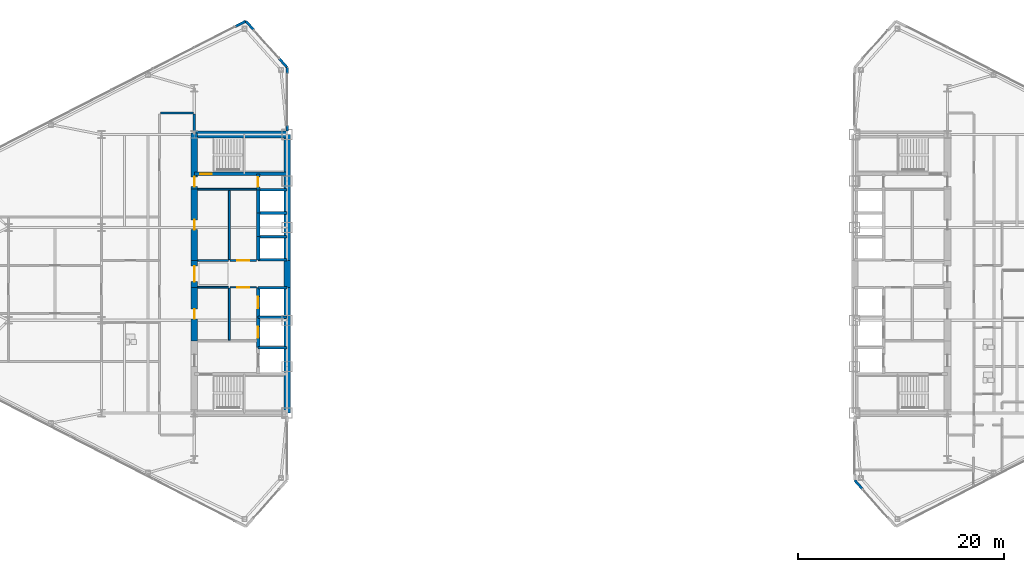
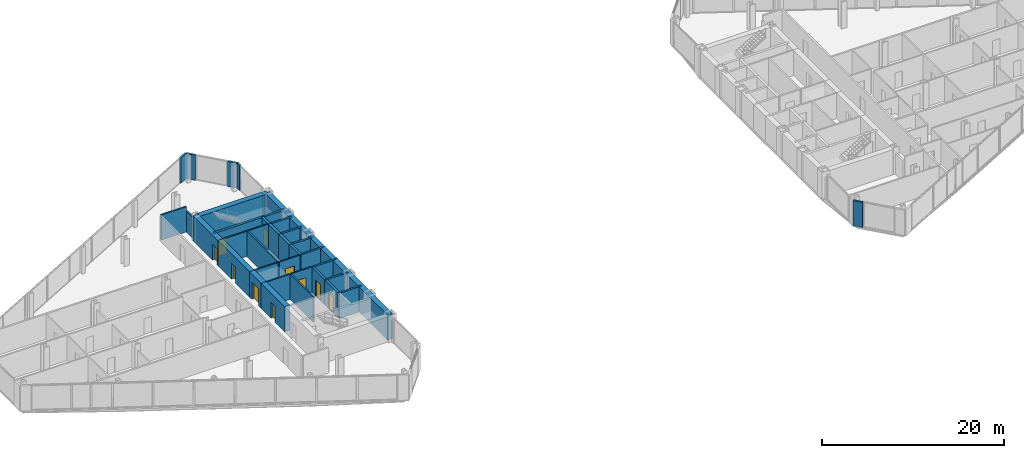
# One storey, part 17 of 23: 37 walls, 10 doors, 10 openings.
"""IFC4 building model written with IfcOpenShell, lengths in metres."""

from ifc_helpers import new_model, si_unit, direction, frame, frame_2d, origin, place, context, subcontext, project, spatial, rectangle, extrude, source, transform, mapped, material, layer, layer_set, type_object, type_shapes, element, fill, save


model = new_model("IFC4")

# Units and contexts
model_context = context("Model", 3, precision=1e-05, world=origin(), true_north=direction((0.0, 1.0)))
body_context = subcontext(model_context, "Body", "Model", "MODEL_VIEW")
ifc_project = project(units=[si_unit("LENGTHUNIT", "METRE"), si_unit("AREAUNIT", "SQUARE_METRE"), si_unit("VOLUMEUNIT", "CUBIC_METRE"), si_unit("PLANEANGLEUNIT", "RADIAN"), si_unit("MASSUNIT", "GRAM", prefix="KILO")], contexts=[model_context])

# Site, building, storey
site_placement = place(None, origin())
site = spatial("IfcSite", under=ifc_project, at=site_placement, CompositionType="ELEMENT")
building_placement = place(site_placement, origin())
building = spatial("IfcBuilding", under=site, at=building_placement, Name="Seokmaru Belvedere", CompositionType="ELEMENT")
storey_placement = place(building_placement, frame((0.0, 0.0, 128.39990234375)))
storey = spatial("IfcBuildingStorey", under=building, at=storey_placement, Name="L34", CompositionType="ELEMENT", Elevation=128.39990234375)

# Walls
ifc_material_1 = material(Name="Fire-Rated Gypsum Shaftwall")
ifc_layer_1 = layer(ifc_material_1, 0.179931640625)
ifc_layer_set_1 = layer_set([ifc_layer_1], Name="Fire-Rated Gypsum Shaftwall")
wall_type_1 = type_object("IfcWallType", Name="Core Service Fire Partition 180", PredefinedType="PARTITIONING", material=ifc_layer_set_1)
wall_1_placement = place(storey_placement, frame((-36.14990234375, 8.199951171875, 0.0), z_axis=(0.0, 0.0, 1.0), x_axis=(1.0, 0.0, 0.0)))
element("IfcWall", 1, at=wall_1_placement, inside=storey, type_object=wall_type_1, Name="L34 West Smokeproof Vestibule Partition", PredefinedType="PARTITIONING", context=body_context, shape_type="SweptSolid", body=[
    extrude(rectangle(XDim=5.699951171875, YDim=0.179931640625, at=frame_2d((2.85009765625, 0.0))), origin(), (0.0, 0.0, 1.0), 3.380126953125),
])
wall_2_placement = place(storey_placement, frame((-33.10009765625, -6.419921875, 0.0), z_axis=(0.0, 0.0, 1.0), x_axis=(0.0, 1.0, 0.0)))
element("IfcWall", 2, at=wall_2_placement, inside=storey, type_object=wall_type_1, Name="L34 West South Core Service Back Wall", PredefinedType="PARTITIONING", context=body_context, shape_type="SweptSolid", body=[
    extrude(rectangle(XDim=5.0400390625, YDim=0.179931640625, at=frame_2d((2.52001953125, 0.0))), origin(), (0.0, 0.0, 1.0), 3.380126953125),
])
wall_3_placement = place(storey_placement, frame((-33.10009765625, 1.3798828125, 0.0), z_axis=(0.0, 0.0, 1.0), x_axis=(0.0, 1.0, 0.0)))
element("IfcWall", 3, at=wall_3_placement, inside=storey, type_object=wall_type_1, Name="L34 West North Core Service Back Wall", PredefinedType="PARTITIONING", context=body_context, shape_type="SweptSolid", body=[
    extrude(rectangle(XDim=6.740234375, YDim=0.179931640625, at=frame_2d((3.3701171875, 0.0))), origin(), (0.0, 0.0, 1.0), 3.380126953125),
])

# Wall, opening, door
wall_4_placement = place(storey_placement, frame((-33.02001953125, -1.300048828125, 0.0), z_axis=(0.0, 0.0, 1.0), x_axis=(1.0, 0.0, 0.0)))
wall_4 = element("IfcWall", 4, at=wall_4_placement, inside=storey, type_object=wall_type_1, Name="L34 West South Lift Lobby Foyer Wall", PredefinedType="PARTITIONING", context=body_context, shape_type="SweptSolid", body=[
    extrude(rectangle(XDim=2.570068359375, YDim=0.179931640625, at=frame_2d((1.28515625, 0.0))), origin(), (0.0, 0.0, 1.0), 3.380126953125),
])
opening_1_placement = place(wall_4_placement, frame((0.7099609375, 0.0, 0.0)))
opening_1 = element("IfcOpeningElement", 5, at=opening_1_placement, cuts=wall_4, Name="Opening D02", PredefinedType="OPENING", context=body_context, shape_type="SweptSolid", body=[
    extrude(rectangle(XDim=1.14990234375, YDim=2.199951171875, at=frame_2d((0.574951171875, 1.10009765625))), frame((0.0, 0.10009765625, 0.0), z_axis=(0.0, -1.0, 0.0), x_axis=(1.0, 0.0, 0.0)), (0.0, 0.0, 1.0), 0.199951171875),
])
ifc_material_2 = material(Name="Fire-Rated Steel Leaf", Category="steel")
door_type_1 = type_object("IfcDoorType", Name="Lobby and Vestibule Fire Door 1150x2200", OperationType="NOTDEFINED", PredefinedType="DOOR", material=ifc_material_2)
shared_shape_1 = source(origin(), body_context, "Body", "SweptSolid", [
    extrude(rectangle(XDim=1.14990234375, YDim=2.199951171875, at=frame_2d((0.574951171875, 1.10009765625))), frame((0.0, 0.02490234375, 0.0), z_axis=(0.0, -1.0, 0.0), x_axis=(1.0, 0.0, 0.0)), (0.0, 0.0, 1.0), 0.050048828125),
])
type_shapes(door_type_1, [shared_shape_1])
door_1_placement = place(opening_1_placement, origin())
door_1 = element("IfcDoor", 6, at=door_1_placement, inside=storey, type_object=door_type_1, Name="L34 West South Core Foyer Door", OperationType="SINGLE_SWING_LEFT", OverallHeight=2.199951171875, OverallWidth=1.14990234375, PredefinedType="DOOR", context=body_context, shape_type="MappedRepresentation", body=[
    mapped(shared_shape_1, transform((0.0, 0.0, 0.0), scale=1.0)),
])
fill(opening_1, door_1)

wall_5_placement = place(storey_placement, frame((-33.02001953125, 1.300048828125, 0.0), z_axis=(0.0, 0.0, 1.0), x_axis=(1.0, 0.0, 0.0)))
wall_5 = element("IfcWall", 7, at=wall_5_placement, inside=storey, type_object=wall_type_1, Name="L34 West North Lift Lobby Foyer Wall", PredefinedType="PARTITIONING", context=body_context, shape_type="SweptSolid", body=[
    extrude(rectangle(XDim=2.570068359375, YDim=0.179931640625, at=frame_2d((1.28515625, 0.0))), origin(), (0.0, 0.0, 1.0), 3.380126953125),
])
opening_2_placement = place(wall_5_placement, frame((0.7099609375, 0.0, 0.0)))
opening_2 = element("IfcOpeningElement", 8, at=opening_2_placement, cuts=wall_5, Name="Opening D02", PredefinedType="OPENING", context=body_context, shape_type="SweptSolid", body=[
    extrude(rectangle(XDim=1.14990234375, YDim=2.199951171875, at=frame_2d((0.574951171875, 1.10009765625))), frame((0.0, 0.10009765625, 0.0), z_axis=(0.0, -1.0, 0.0), x_axis=(1.0, 0.0, 0.0)), (0.0, 0.0, 1.0), 0.199951171875),
])
door_2_placement = place(opening_2_placement, origin())
door_2 = element("IfcDoor", 9, at=door_2_placement, inside=storey, type_object=door_type_1, Name="L34 West North Lift Lobby Door", OperationType="SINGLE_SWING_RIGHT", OverallHeight=2.199951171875, OverallWidth=1.14990234375, PredefinedType="DOOR", context=body_context, shape_type="MappedRepresentation", body=[
    mapped(shared_shape_1, transform((0.0, 0.0, 0.0), scale=1.0)),
])
fill(opening_2, door_2)

# Walls
for number, where, z_axis, x_axis, name in (
    (10, (-36.14990234375, -1.300048828125, 0.0), (0.0, 0.0, 1.0), (1.0, 0.0, 0.0), "L34 West Foyer Side Wall S"),
    (11, (-36.14990234375, 1.300048828125, 0.0), (0.0, 0.0, 1.0), (1.0, 0.0, 0.0), "L34 West Foyer Side Wall N"),
):
    element("IfcWall", number, at=place(storey_placement, frame(where, z_axis=z_axis, x_axis=x_axis)), inside=storey, type_object=wall_type_1, Name=name, PredefinedType="PARTITIONING", context=body_context, shape_type="SweptSolid", body=[
        extrude(rectangle(XDim=2.949951171875, YDim=0.179931640625, at=frame_2d((1.47509765625, 0.0))), origin(), (0.0, 0.0, 1.0), 3.380126953125),
    ])
ifc_material_3 = material(Name="Concrete C50 (50 MPa)", Category="concrete")
ifc_layer_2 = layer(ifc_material_3, 0.25)
ifc_layer_set_2 = layer_set([ifc_layer_2], Name="Concrete C50 (50 MPa)")
wall_type_2 = type_object("IfcWallType", Name="Hoistway Transverse Concrete Divider Wall 250", PredefinedType="SHEAR", material=ifc_layer_set_2)
for number, where, z_axis, x_axis, name in (
    (12, (-30.300048828125, -7.14990234375, 0.0), (0.0, 0.0, 1.0), (1.0, 0.0, 0.0), "L34 West Hoistway Divider Core Wall 1"),
    (13, (-30.300048828125, -4.199951171875, 0.0), (0.0, 0.0, 1.0), (1.0, 0.0, 0.0), "L34 West Hoistway Divider Core Wall 2"),
    (14, (-30.300048828125, -1.35009765625, 0.0), (0.0, 0.0, 1.0), (1.0, 0.0, 0.0), "L34 West Hoistway Divider Core Wall 3"),
    (15, (-30.300048828125, 1.35009765625, 0.0), (0.0, 0.0, 1.0), (1.0, 0.0, 0.0), "L34 West Hoistway Divider Core Wall 4"),
    (16, (-30.300048828125, 3.60009765625, 0.0), (0.0, 0.0, 1.0), (1.0, 0.0, 0.0), "L34 West Hoistway Divider Core Wall 5"),
    (17, (-30.300048828125, 5.89990234375, 0.0), (0.0, 0.0, 1.0), (1.0, 0.0, 0.0), "L34 West Hoistway Divider Core Wall 6"),
    (18, (-30.300048828125, 8.14990234375, 0.0), (0.0, 0.0, 1.0), (1.0, 0.0, 0.0), "L34 West Hoistway Divider Core Wall 7"),
):
    element("IfcWall", number, at=place(storey_placement, frame(where, z_axis=z_axis, x_axis=x_axis)), inside=storey, type_object=wall_type_2, Name=name, PredefinedType="SHEAR", context=body_context, shape_type="SweptSolid", body=[
        extrude(rectangle(XDim=2.800048828125, YDim=0.25, at=frame_2d((1.39990234375, 0.0))), origin(), (0.0, 0.0, 1.0), 3.380126953125),
    ])
ifc_layer_3 = layer(ifc_material_1, 0.199951171875)
ifc_layer_set_3 = layer_set([ifc_layer_3], Name="Fire-Rated Gypsum Shaftwall")
wall_type_3 = type_object("IfcWallType", Name="Inter-Tenancy Fire Compartment Partition 200", PredefinedType="PARTITIONING", material=ifc_layer_set_3)
wall_6_placement = place(storey_placement, frame((-39.764892578125, 15.60009765625, 0.0), z_axis=(0.0, 0.0, 1.0), x_axis=(1.0, 0.0, 0.0)))
element("IfcWall", 19, at=wall_6_placement, inside=storey, type_object=wall_type_3, Name="L34 Interior Partition 020", PredefinedType="PARTITIONING", context=body_context, shape_type="SweptSolid", body=[
    extrude(rectangle(XDim=3.179931640625, YDim=0.199951171875, at=frame_2d((1.58984375, 0.0))), origin(), (0.0, 0.0, 1.0), 3.380126953125),
])
wall_7_placement = place(storey_placement, frame((-36.5, 13.830078125, 0.0), z_axis=(0.0, 0.0, 1.0), x_axis=(0.0, 1.0, 0.0)))
element("IfcWall", 20, at=wall_7_placement, inside=storey, type_object=wall_type_3, Name="L34 Interior Partition 028", PredefinedType="PARTITIONING", context=body_context, shape_type="SweptSolid", body=[
    extrude(rectangle(XDim=1.684814453125, YDim=0.199951171875, at=frame_2d((0.84228515625, 0.0))), origin(), (0.0, 0.0, 1.0), 2.780029296875),
])

# Wall, opening, door
ifc_layer_4 = layer(ifc_material_3, 0.300048828125)
ifc_layer_set_4 = layer_set([ifc_layer_4], Name="Concrete C50 (50 MPa)")
wall_type_4 = type_object("IfcWallType", Name="Internal Core Stair and Hoistway Wall 300", PredefinedType="SHEAR", material=ifc_layer_set_4)
wall_8_placement = place(storey_placement, frame((-36.5, 9.699951171875, 0.0), z_axis=(0.0, 0.0, 1.0), x_axis=(1.0, 0.0, 0.0)))
wall_8 = element("IfcWall", 21, at=wall_8_placement, inside=storey, type_object=wall_type_4, Name="L34 West Stair ST-2 Enclosure Wall", PredefinedType="SHEAR", context=body_context, shape_type="SweptSolid", body=[
    extrude(rectangle(XDim=9.0, YDim=0.300048828125, at=frame_2d((4.5, 0.0))), origin(), (0.0, 0.0, 1.0), 3.380126953125),
])
opening_3_placement = place(wall_8_placement, frame((0.60009765625, 0.0, 0.0)))
opening_3 = element("IfcOpeningElement", 22, at=opening_3_placement, cuts=wall_8, Name="Opening D01", PredefinedType="OPENING", context=body_context, shape_type="SweptSolid", body=[
    extrude(rectangle(XDim=1.10009765625, YDim=2.199951171875, at=frame_2d((0.550048828125, 1.10009765625))), frame((0.0, 0.16015625, 0.0), z_axis=(0.0, -1.0, 0.0), x_axis=(1.0, 0.0, 0.0)), (0.0, 0.0, 1.0), 0.320068359375),
])
door_type_2 = type_object("IfcDoorType", Name="Special Escape Stair Smokeproof Fire Door 1100x2200", OperationType="NOTDEFINED", PredefinedType="DOOR", material=ifc_material_2)
shared_shape_2 = source(origin(), body_context, "Body", "SweptSolid", [
    extrude(rectangle(XDim=1.10009765625, YDim=2.199951171875, at=frame_2d((0.550048828125, 1.10009765625))), frame((0.0, 0.02490234375, 0.0), z_axis=(0.0, -1.0, 0.0), x_axis=(1.0, 0.0, 0.0)), (0.0, 0.0, 1.0), 0.050048828125),
])
type_shapes(door_type_2, [shared_shape_2])
door_3_placement = place(opening_3_placement, origin())
door_3 = element("IfcDoor", 23, at=door_3_placement, inside=storey, type_object=door_type_2, Name="L34 West Special Escape Stair ST-2 Door", OperationType="SINGLE_SWING_RIGHT", OverallHeight=2.199951171875, OverallWidth=1.10009765625, PredefinedType="DOOR", context=body_context, shape_type="MappedRepresentation", body=[
    mapped(shared_shape_2, transform((0.0, 0.0, 0.0), scale=1.0)),
])
fill(opening_3, door_3)

wall_9_placement = place(storey_placement, frame((-30.300048828125, -7.1201171875, 0.0), z_axis=(0.0, 0.0, 1.0), x_axis=(0.0, 1.0, 0.0)))
wall_9 = element("IfcWall", 24, at=wall_9_placement, inside=storey, type_object=wall_type_4, Name="L34 West Low-Rise Lift PL-1 Front Wall", PredefinedType="SHEAR", context=body_context, shape_type="SweptSolid", body=[
    extrude(rectangle(XDim=2.920166015625, YDim=0.300048828125, at=frame_2d((1.4599609375, 0.0))), origin(), (0.0, 0.0, 1.0), 3.380126953125),
])
opening_4_placement = place(wall_9_placement, frame((0.909912109375, 0.0, 0.0)))
opening_4 = element("IfcOpeningElement", 25, at=opening_4_placement, cuts=wall_9, Name="Opening LD1", PredefinedType="OPENING", context=body_context, shape_type="SweptSolid", body=[
    extrude(rectangle(XDim=1.10009765625, YDim=2.199951171875, at=frame_2d((0.550048828125, 1.10009765625))), frame((0.0, 0.16015625, 0.0), z_axis=(0.0, -1.0, 0.0), x_axis=(1.0, 0.0, 0.0)), (0.0, 0.0, 1.0), 0.320068359375),
])
ifc_material_4 = material(Name="Stainless Steel 316", Category="steel")
door_type_3 = type_object("IfcDoorType", Name="Passenger Lift Sliding Landing Door 1100x2200", OperationType="DOUBLE_DOOR_SLIDING", PredefinedType="DOOR", material=ifc_material_4)
shared_shape_3 = source(origin(), body_context, "Body", "SweptSolid", [
    extrude(rectangle(XDim=1.10009765625, YDim=2.199951171875, at=frame_2d((0.550048828125, 1.10009765625))), frame((0.0, 0.02490234375, 0.0), z_axis=(0.0, -1.0, 0.0), x_axis=(1.0, 0.0, 0.0)), (0.0, 0.0, 1.0), 0.050048828125),
])
type_shapes(door_type_3, [shared_shape_3])
door_4_placement = place(opening_4_placement, origin())
door_4 = element("IfcDoor", 26, at=door_4_placement, inside=storey, type_object=door_type_3, Name="L34 West Low-Rise Lift PL-1 Landing Door", OperationType="DOUBLE_DOOR_SLIDING", OverallHeight=2.199951171875, OverallWidth=1.10009765625, PredefinedType="DOOR", context=body_context, shape_type="MappedRepresentation", body=[
    mapped(shared_shape_3, transform((0.0, 0.0, 0.0), scale=1.0)),
])
fill(opening_4, door_4)

wall_10_placement = place(storey_placement, frame((-30.300048828125, -4.199951171875, 0.0), z_axis=(0.0, 0.0, 1.0), x_axis=(0.0, 1.0, 0.0)))
wall_10 = element("IfcWall", 27, at=wall_10_placement, inside=storey, type_object=wall_type_4, Name="L34 West Low-Rise Lift PL-2 Front Wall", PredefinedType="SHEAR", context=body_context, shape_type="SweptSolid", body=[
    extrude(rectangle(XDim=2.8798828125, YDim=0.300048828125, at=frame_2d((1.43994140625, 0.0))), origin(), (0.0, 0.0, 1.0), 3.380126953125),
])
opening_5_placement = place(wall_10_placement, frame((0.889892578125, 0.0, 0.0)))
opening_5 = element("IfcOpeningElement", 28, at=opening_5_placement, cuts=wall_10, Name="Opening LD1", PredefinedType="OPENING", context=body_context, shape_type="SweptSolid", body=[
    extrude(rectangle(XDim=1.10009765625, YDim=2.199951171875, at=frame_2d((0.550048828125, 1.10009765625))), frame((0.0, 0.16015625, 0.0), z_axis=(0.0, -1.0, 0.0), x_axis=(1.0, 0.0, 0.0)), (0.0, 0.0, 1.0), 0.320068359375),
])
door_5_placement = place(opening_5_placement, origin())
door_5 = element("IfcDoor", 29, at=door_5_placement, inside=storey, type_object=door_type_3, Name="L34 West Low-Rise Lift PL-2 Landing Door", OperationType="DOUBLE_DOOR_SLIDING", OverallHeight=2.199951171875, OverallWidth=1.10009765625, PredefinedType="DOOR", context=body_context, shape_type="MappedRepresentation", body=[
    mapped(shared_shape_3, transform((0.0, 0.0, 0.0), scale=1.0)),
])
fill(opening_5, door_5)

# Walls
wall_11_placement = place(storey_placement, frame((-30.300048828125, 1.320068359375, 0.0), z_axis=(0.0, 0.0, 1.0), x_axis=(0.0, 1.0, 0.0)))
element("IfcWall", 30, at=wall_11_placement, inside=storey, type_object=wall_type_4, Name="L34 West North Hoistway Wall PH1", PredefinedType="SHEAR", context=body_context, shape_type="SweptSolid", body=[
    extrude(rectangle(XDim=2.280029296875, YDim=0.300048828125, at=frame_2d((1.14013671875, 0.0))), origin(), (0.0, 0.0, 1.0), 3.380126953125),
])
wall_12_placement = place(storey_placement, frame((-30.300048828125, 3.60009765625, 0.0), z_axis=(0.0, 0.0, 1.0), x_axis=(0.0, 1.0, 0.0)))
element("IfcWall", 31, at=wall_12_placement, inside=storey, type_object=wall_type_4, Name="L34 West North Hoistway Wall PH2", PredefinedType="SHEAR", context=body_context, shape_type="SweptSolid", body=[
    extrude(rectangle(XDim=2.2998046875, YDim=0.300048828125, at=frame_2d((1.14990234375, 0.0))), origin(), (0.0, 0.0, 1.0), 3.380126953125),
])
wall_13_placement = place(storey_placement, frame((-30.300048828125, 5.89990234375, 0.0), z_axis=(0.0, 0.0, 1.0), x_axis=(0.0, 1.0, 0.0)))
element("IfcWall", 32, at=wall_13_placement, inside=storey, type_object=wall_type_4, Name="L34 West North Hoistway Wall OBS", PredefinedType="SHEAR", context=body_context, shape_type="SweptSolid", body=[
    extrude(rectangle(XDim=2.25, YDim=0.300048828125, at=frame_2d((1.125, 0.0))), origin(), (0.0, 0.0, 1.0), 3.380126953125),
])

# Wall, opening, door
wall_14_placement = place(storey_placement, frame((-30.300048828125, 8.14990234375, 0.0), z_axis=(0.0, 0.0, 1.0), x_axis=(0.0, 1.0, 0.0)))
wall_14 = element("IfcWall", 33, at=wall_14_placement, inside=storey, type_object=wall_type_4, Name="L34 West Electrical Riser Front Wall", PredefinedType="SHEAR", context=body_context, shape_type="SweptSolid", body=[
    extrude(rectangle(XDim=1.530029296875, YDim=0.300048828125, at=frame_2d((0.76513671875, 0.0))), origin(), (0.0, 0.0, 1.0), 3.380126953125),
])
opening_6_placement = place(wall_14_placement, frame((0.284912109375, 0.0, 0.0)))
opening_6 = element("IfcOpeningElement", 34, at=opening_6_placement, cuts=wall_14, Name="Opening D04", PredefinedType="OPENING", context=body_context, shape_type="SweptSolid", body=[
    extrude(rectangle(XDim=0.949951171875, YDim=2.14990234375, at=frame_2d((0.47509765625, 1.074951171875))), frame((0.0, 0.16015625, 0.0), z_axis=(0.0, -1.0, 0.0), x_axis=(1.0, 0.0, 0.0)), (0.0, 0.0, 1.0), 0.320068359375),
])
door_type_4 = type_object("IfcDoorType", Name="Core Service Room Fire Door 950x2150", OperationType="NOTDEFINED", PredefinedType="DOOR", material=ifc_material_2)
shared_shape_4 = source(origin(), body_context, "Body", "SweptSolid", [
    extrude(rectangle(XDim=0.949951171875, YDim=2.14990234375, at=frame_2d((0.47509765625, 1.074951171875))), frame((0.0, 0.02490234375, 0.0), z_axis=(0.0, -1.0, 0.0), x_axis=(1.0, 0.0, 0.0)), (0.0, 0.0, 1.0), 0.050048828125),
])
type_shapes(door_type_4, [shared_shape_4])
door_6_placement = place(opening_6_placement, origin())
door_6 = element("IfcDoor", 35, at=door_6_placement, inside=storey, type_object=door_type_4, Name="L34 West Electrical Riser Access Door", OperationType="SINGLE_SWING_LEFT", OverallHeight=2.14990234375, OverallWidth=0.949951171875, PredefinedType="DOOR", context=body_context, shape_type="MappedRepresentation", body=[
    mapped(shared_shape_4, transform((0.0, 0.0, 0.0), scale=1.0)),
])
fill(opening_6, door_6)

# Walls
ifc_material_5 = material(Name="Concrete C60 (60 MPa)", Category="concrete")
ifc_layer_5 = layer(ifc_material_5, 0.64990234375)
ifc_layer_set_5 = layer_set([ifc_layer_5], Name="Concrete C60 (60 MPa)")
wall_type_5 = type_object("IfcWallType", Name="Mid-Low Reinforced Concrete Core Wall 650", PredefinedType="SHEAR", material=ifc_layer_set_5)
for number, where, z_axis, x_axis, name in (
    (36, (-27.5, -13.5, 0.0), (0.0, 0.0, 1.0), (0.0, 1.0, 0.0), "L34 West Portal Spine Core Wall South"),
    (37, (-27.5, 1.300048828125, 0.0), (0.0, 0.0, 1.0), (0.0, 1.0, 0.0), "L34 West Portal Spine Core Wall North"),
):
    element("IfcWall", number, at=place(storey_placement, frame(where, z_axis=z_axis, x_axis=x_axis)), inside=storey, type_object=wall_type_5, Name=name, PredefinedType="SHEAR", context=body_context, shape_type="SweptSolid", body=[
        extrude(rectangle(XDim=12.199951171875, YDim=0.64990234375, at=frame_2d((6.10009765625, 0.0))), origin(), (0.0, 0.0, 1.0), 3.380126953125),
    ])
wall_15_placement = place(storey_placement, frame((-27.5, -1.300048828125, 0.0), z_axis=(0.0, 0.0, 1.0), x_axis=(0.0, 1.0, 0.0)))
element("IfcWall", 38, at=wall_15_placement, inside=storey, type_object=wall_type_5, Name="L34 West Portal Spine Core Wall Center", PredefinedType="SHEAR", context=body_context, shape_type="SweptSolid", body=[
    extrude(rectangle(XDim=2.60009765625, YDim=0.64990234375, at=frame_2d((1.300048828125, 0.0))), origin(), (0.0, 0.0, 1.0), 3.380126953125),
])
wall_16_placement = place(storey_placement, frame((-36.5, 13.5, 0.0), z_axis=(0.0, 0.0, 1.0), x_axis=(1.0, 0.0, 0.0)))
element("IfcWall", 39, at=wall_16_placement, inside=storey, type_object=wall_type_5, Name="L34 West North Core Wall", PredefinedType="SHEAR", context=body_context, shape_type="SweptSolid", body=[
    extrude(rectangle(XDim=9.0, YDim=0.64990234375, at=frame_2d((4.5, 0.0))), origin(), (0.0, 0.0, 1.0), 3.380126953125),
])

# Wall, opening, door
wall_17_placement = place(storey_placement, frame((-36.5, -1.300048828125, 0.0), z_axis=(0.0, 0.0, 1.0), x_axis=(0.0, 1.0, 0.0)))
wall_17 = element("IfcWall", 40, at=wall_17_placement, inside=storey, type_object=wall_type_5, Name="L34 West West Core Wall FOY", PredefinedType="SHEAR", context=body_context, shape_type="SweptSolid", body=[
    extrude(rectangle(XDim=2.60009765625, YDim=0.64990234375, at=frame_2d((1.300048828125, 0.0))), origin(), (0.0, 0.0, 1.0), 3.380126953125),
])
opening_7_placement = place(wall_17_placement, frame((0.550048828125, 0.0, 0.0)))
opening_7 = element("IfcOpeningElement", 41, at=opening_7_placement, cuts=wall_17, Name="Opening D08", PredefinedType="OPENING", context=body_context, shape_type="SweptSolid", body=[
    extrude(rectangle(XDim=1.5, YDim=2.300048828125, at=frame_2d((0.75, 1.14990234375))), frame((0.0, 0.3349609375, 0.0), z_axis=(0.0, -1.0, 0.0), x_axis=(1.0, 0.0, 0.0)), (0.0, 0.0, 1.0), 0.669921875),
])
door_type_5 = type_object("IfcDoorType", Name="Cross-Corridor Compartment Double Fire Door 1500x2300", OperationType="DOUBLE_SWING_LEFT", PredefinedType="DOOR", material=ifc_material_2)
shared_shape_5 = source(origin(), body_context, "Body", "SweptSolid", [
    extrude(rectangle(XDim=1.5, YDim=2.300048828125, at=frame_2d((0.75, 1.14990234375))), frame((0.0, 0.02490234375, 0.0), z_axis=(0.0, -1.0, 0.0), x_axis=(1.0, 0.0, 0.0)), (0.0, 0.0, 1.0), 0.050048828125),
])
type_shapes(door_type_5, [shared_shape_5])
door_7_placement = place(opening_7_placement, origin())
door_7 = element("IfcDoor", 42, at=door_7_placement, inside=storey, type_object=door_type_5, Name="L34 West Core Foyer Compartment Door", OperationType="DOUBLE_SWING_LEFT", OverallHeight=2.300048828125, OverallWidth=1.5, PredefinedType="DOOR", context=body_context, shape_type="MappedRepresentation", body=[
    mapped(shared_shape_5, transform((0.0, 0.0, 0.0), scale=1.0)),
])
fill(opening_7, door_7)

wall_18_placement = place(storey_placement, frame((-36.5, 8.199951171875, 0.0), z_axis=(0.0, 0.0, 1.0), x_axis=(0.0, 1.0, 0.0)))
wall_18 = element("IfcWall", 43, at=wall_18_placement, inside=storey, type_object=wall_type_5, Name="L34 West West Core Wall VST", PredefinedType="SHEAR", context=body_context, shape_type="SweptSolid", body=[
    extrude(rectangle(XDim=5.449951171875, YDim=0.64990234375, at=frame_2d((2.72509765625, 0.0))), origin(), (0.0, 0.0, 1.0), 3.380126953125),
])
opening_8_placement = place(wall_18_placement, frame((0.2451171875, 0.0, 0.0)))
opening_8 = element("IfcOpeningElement", 44, at=opening_8_placement, cuts=wall_18, Name="Opening D04", PredefinedType="OPENING", context=body_context, shape_type="SweptSolid", body=[
    extrude(rectangle(XDim=0.949951171875, YDim=2.14990234375, at=frame_2d((0.47509765625, 1.074951171875))), frame((0.0, 0.3349609375, 0.0), z_axis=(0.0, -1.0, 0.0), x_axis=(1.0, 0.0, 0.0)), (0.0, 0.0, 1.0), 0.669921875),
])
door_8_placement = place(opening_8_placement, frame((0.949951171875, 0.0, 0.0), z_axis=(0.0, 0.0, 1.0), x_axis=(-1.0, 0.0, 0.0)))
door_8 = element("IfcDoor", 45, at=door_8_placement, inside=storey, type_object=door_type_4, Name="L34 West Smokeproof Vestibule Door", OperationType="SINGLE_SWING_RIGHT", OverallHeight=2.14990234375, OverallWidth=0.949951171875, PredefinedType="DOOR", context=body_context, shape_type="MappedRepresentation", body=[
    mapped(shared_shape_4, transform((0.0, 0.0, 0.0), scale=1.0)),
])
fill(opening_8, door_8)

wall_19_placement = place(storey_placement, frame((-36.5, -6.5, 0.0), z_axis=(0.0, 0.0, 1.0), x_axis=(0.0, 1.0, 0.0)))
wall_19 = element("IfcWall", 46, at=wall_19_placement, inside=storey, type_object=wall_type_5, Name="L34 West West Core Wall CS1", PredefinedType="SHEAR", context=body_context, shape_type="SweptSolid", body=[
    extrude(rectangle(XDim=5.199951171875, YDim=0.64990234375, at=frame_2d((2.60009765625, 0.0))), origin(), (0.0, 0.0, 1.0), 3.380126953125),
])
opening_9_placement = place(wall_19_placement, frame((2.125, 0.0, 0.0)))
opening_9 = element("IfcOpeningElement", 47, at=opening_9_placement, cuts=wall_19, Name="Opening D04", PredefinedType="OPENING", context=body_context, shape_type="SweptSolid", body=[
    extrude(rectangle(XDim=0.949951171875, YDim=2.14990234375, at=frame_2d((0.47509765625, 1.074951171875))), frame((0.0, 0.3349609375, 0.0), z_axis=(0.0, -1.0, 0.0), x_axis=(1.0, 0.0, 0.0)), (0.0, 0.0, 1.0), 0.669921875),
])
door_9_placement = place(opening_9_placement, origin())
door_9 = element("IfcDoor", 48, at=door_9_placement, inside=storey, type_object=door_type_4, Name="L34 West Core Service Room Door 1", OperationType="SINGLE_SWING_LEFT", OverallHeight=2.14990234375, OverallWidth=0.949951171875, PredefinedType="DOOR", context=body_context, shape_type="MappedRepresentation", body=[
    mapped(shared_shape_4, transform((0.0, 0.0, 0.0), scale=1.0)),
])
fill(opening_9, door_9)

wall_20_placement = place(storey_placement, frame((-36.5, 1.300048828125, 0.0), z_axis=(0.0, 0.0, 1.0), x_axis=(0.0, 1.0, 0.0)))
wall_20 = element("IfcWall", 49, at=wall_20_placement, inside=storey, type_object=wall_type_5, Name="L34 West West Core Wall CS2", PredefinedType="SHEAR", context=body_context, shape_type="SweptSolid", body=[
    extrude(rectangle(XDim=6.89990234375, YDim=0.64990234375, at=frame_2d((3.449951171875, 0.0))), origin(), (0.0, 0.0, 1.0), 3.380126953125),
])
opening_10_placement = place(wall_20_placement, frame((2.97509765625, 0.0, 0.0)))
opening_10 = element("IfcOpeningElement", 50, at=opening_10_placement, cuts=wall_20, Name="Opening D04", PredefinedType="OPENING", context=body_context, shape_type="SweptSolid", body=[
    extrude(rectangle(XDim=0.949951171875, YDim=2.14990234375, at=frame_2d((0.47509765625, 1.074951171875))), frame((0.0, 0.3349609375, 0.0), z_axis=(0.0, -1.0, 0.0), x_axis=(1.0, 0.0, 0.0)), (0.0, 0.0, 1.0), 0.669921875),
])
door_10_placement = place(opening_10_placement, origin())
door_10 = element("IfcDoor", 51, at=door_10_placement, inside=storey, type_object=door_type_4, Name="L34 West Core Service Room Door 2", OperationType="SINGLE_SWING_RIGHT", OverallHeight=2.14990234375, OverallWidth=0.949951171875, PredefinedType="DOOR", context=body_context, shape_type="MappedRepresentation", body=[
    mapped(shared_shape_4, transform((0.0, 0.0, 0.0), scale=1.0)),
])
fill(opening_10, door_10)

# Walls
ifc_material_6 = material(Name="Anodised Bronze Aluminium", Category="aluminium")
ifc_layer_6 = layer(ifc_material_6, 0.239990234375)
ifc_layer_set_6 = layer_set([ifc_layer_6], Name="Anodised Bronze Aluminium")
wall_type_6 = type_object("IfcWallType", Name="Tower Corner Spandrel Closure Wall 240", PredefinedType="SOLIDWALL", material=ifc_layer_set_6)
wall_21_placement = place(storey_placement, frame((-27.5, 13.830078125, 0.0), z_axis=(0.0, 0.0, 1.0), x_axis=(0.0, 1.0, 0.0)))
element("IfcWall", 52, at=wall_21_placement, inside=storey, type_object=wall_type_6, Name="L34 W Spine Closure Pier 2A", PredefinedType="SOLIDWALL", context=body_context, shape_type="SweptSolid", body=[
    extrude(rectangle(XDim=0.5498046875, YDim=0.239990234375, at=frame_2d((0.27490234375, 0.0))), origin(), (0.0, 0.0, 1.0), 2.880126953125),
])
wall_22_placement = place(storey_placement, frame((-27.5, 19.429931640625, 0.0), z_axis=(0.0, 0.0, 1.0), x_axis=(0.0, 1.0, 0.0)))
element("IfcWall", 53, at=wall_22_placement, inside=storey, type_object=wall_type_6, Name="L34 W Spine Closure Pier 2B", PredefinedType="SOLIDWALL", context=body_context, shape_type="SweptSolid", body=[
    extrude(rectangle(XDim=0.550048828125, YDim=0.239990234375, at=frame_2d((0.27490234375, 0.0))), origin(), (0.0, 0.0, 1.0), 3.380126953125),
])
for number, where, z_axis, x_axis, name in (
    (54, (-27.506591796875, 20.007568359375, 0.0), (0.0, 0.0, 1.0), (-0.664337252513, 0.747432950119, 0.0), "L34 W Corner Closure Pier 2A"),
    (55, (-30.736083984375, 23.640380859375, 0.0), (0.0, 0.0, 1.0), (-0.664337252513, 0.747432950119, 0.0), "L34 W Corner Closure Pier 2B"),
):
    element("IfcWall", number, at=place(storey_placement, frame(where, z_axis=z_axis, x_axis=x_axis)), inside=storey, type_object=wall_type_6, Name=name, PredefinedType="SOLIDWALL", context=body_context, shape_type="SweptSolid", body=[
        extrude(rectangle(XDim=1.139892578125, YDim=0.239990234375, at=frame_2d((0.56982421875, 0.0))), origin(), (0.0, 0.0, 1.0), 3.380126953125),
    ])
wall_23_placement = place(storey_placement, frame((-31.5087890625, 24.495361328125, 0.0), z_axis=(0.0, 0.0, 1.0), x_axis=(-0.889797395748, -0.456355776255, 0.0)))
element("IfcWall", 56, at=wall_23_placement, inside=storey, type_object=wall_type_6, Name="L34 W Corner Closure Pier 3A", PredefinedType="SOLIDWALL", context=body_context, shape_type="SweptSolid", body=[
    extrude(rectangle(XDim=1.14013671875, YDim=0.239990234375, at=frame_2d((0.570068359375, 0.0))), origin(), (0.0, 0.0, 1.0), 3.380126953125),
])
wall_24_placement = place(storey_placement, frame((27.506591796875, -20.007568359375, 0.0), z_axis=(0.0, 0.0, 1.0), x_axis=(0.664337252513, -0.747432950119, 0.0)))
element("IfcWall", 57, at=wall_24_placement, inside=storey, type_object=wall_type_6, Name="L34 E Corner Closure Pier 6A", PredefinedType="SOLIDWALL", context=body_context, shape_type="SweptSolid", body=[
    extrude(rectangle(XDim=1.139892578125, YDim=0.239990234375, at=frame_2d((0.56982421875, 0.0))), origin(), (0.0, 0.0, 1.0), 3.380126953125),
])

save(model, "model.ifc")
